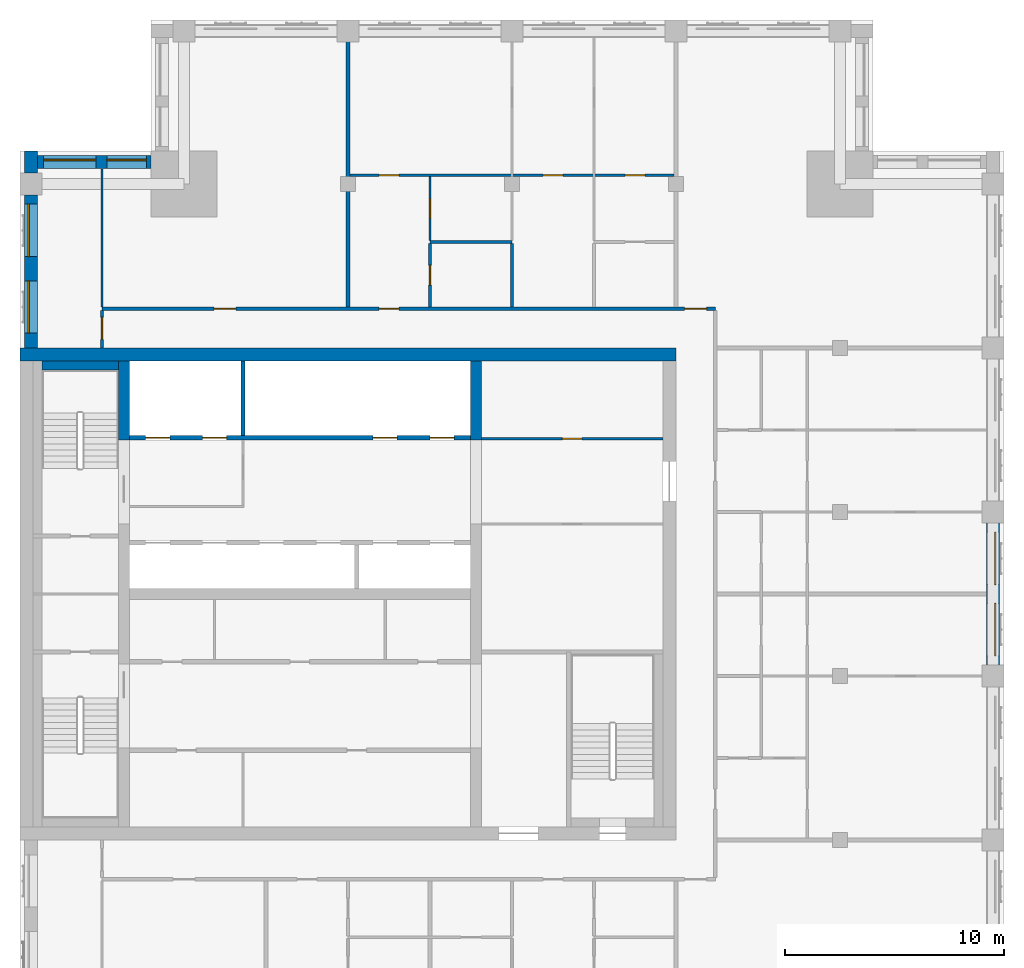
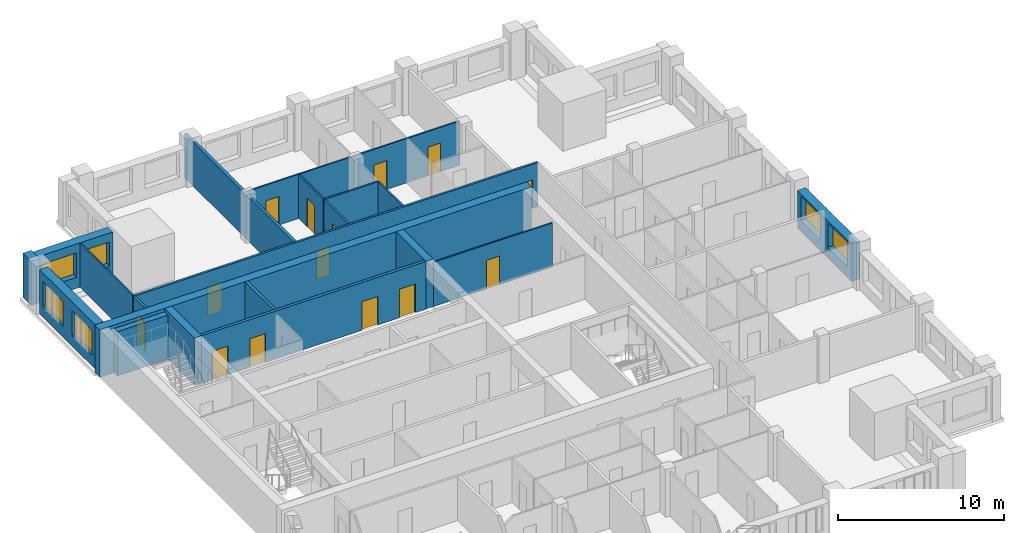
# One storey, part 6 of 10: 20 walls, 14 doors, 6 windows, 20 openings.
"""IFC4 building model written with IfcOpenShell, lengths in metres."""

from ifc_helpers import new_model, si_unit, direction, frame, frame_2d, origin, place, context, subcontext, project, spatial, rectangle, extrude, material, layer, layer_set, type_object, element, fill, save


model = new_model("IFC4")

# Units and contexts
model_context = context("Model", 3, precision=1e-05, world=origin(), true_north=direction((0.0, 1.0)))
body_context = subcontext(model_context, "Body", "Model", "MODEL_VIEW")
ifc_project = project(units=[si_unit("LENGTHUNIT", "METRE"), si_unit("AREAUNIT", "SQUARE_METRE"), si_unit("VOLUMEUNIT", "CUBIC_METRE"), si_unit("PLANEANGLEUNIT", "RADIAN"), si_unit("MASSUNIT", "GRAM", prefix="KILO")], contexts=[model_context])

# Site, building, storey
site_placement = place(None, origin())
site = spatial("IfcSite", under=ifc_project, at=site_placement, CompositionType="ELEMENT")
building_placement = place(site_placement, origin())
building = spatial("IfcBuilding", under=site, at=building_placement, Name="Tamorin Gate", CompositionType="ELEMENT")
storey_placement = place(building_placement, frame((0.0, 0.0, 280.199951171875)))
storey = spatial("IfcBuildingStorey", under=building, at=storey_placement, Name="L70", CompositionType="ELEMENT", Elevation=280.199951171875)

# Wall, openings, windows
ifc_material_1 = material(Name="Precast concrete C40/50", Category="concrete")
ifc_layer_1 = layer(ifc_material_1, 0.60009765625)
ifc_layer_set_1 = layer_set([ifc_layer_1], Name="Precast concrete C40/50")
wall_type_1 = type_object("IfcWallType", Name="Board-marked concrete facade panel 600", PredefinedType="SOLIDWALL", material=ifc_layer_set_1)
wall_1_placement = place(storey_placement, frame((74.5, 68.0, 0.0), z_axis=(0.0, 0.0, 1.0), x_axis=(0.0, 1.0, 0.0)))
wall_1 = element("IfcWall", 1, at=wall_1_placement, inside=storey, type_object=wall_type_1, Name="Facade panel", PredefinedType="SOLIDWALL", context=body_context, shape_type="SweptSolid", body=[
    extrude(rectangle(XDim=6.5, YDim=0.60009765625, at=frame_2d((3.25, 0.0))), origin(), (0.0, 0.0, 1.0), 2.75),
])
opening_1_placement = place(wall_1_placement, frame((0.425048828125, 0.0, 0.800048828125)))
opening_1 = element("IfcOpeningElement", 2, at=opening_1_placement, cuts=wall_1, Name="Opening WN1", PredefinedType="OPENING", context=body_context, shape_type="SweptSolid", body=[
    extrude(rectangle(XDim=2.39990234375, YDim=1.800048828125, at=frame_2d((1.199951171875, 0.89990234375))), frame((0.0, 0.31005859375, 0.0), z_axis=(0.0, -1.0, 0.0), x_axis=(1.0, 0.0, 0.0)), (0.0, 0.0, 1.0), 0.6201171875),
])
opening_2_placement = place(wall_1_placement, frame((3.675048828125, 0.0, 0.800048828125)))
opening_2 = element("IfcOpeningElement", 3, at=opening_2_placement, cuts=wall_1, Name="Opening WN1", PredefinedType="OPENING", context=body_context, shape_type="SweptSolid", body=[
    extrude(rectangle(XDim=2.39990234375, YDim=1.800048828125, at=frame_2d((1.199951171875, 0.89990234375))), frame((0.0, 0.31005859375, 0.0), z_axis=(0.0, -1.0, 0.0), x_axis=(1.0, 0.0, 0.0)), (0.0, 0.0, 1.0), 0.6201171875),
])
ifc_material_2 = material(Name="Clear glass in aluminium frame", Category="aluminium")
window_type_1 = type_object("IfcWindowType", Name="Deep-set window 2400x1800", PartitioningType="SINGLE_PANEL", PredefinedType="WINDOW", material=ifc_material_2)
window_1_placement = place(opening_1_placement, origin())
window_1 = element("IfcWindow", 4, at=window_1_placement, inside=storey, type_object=window_type_1, Name="Deep-set window", OverallHeight=1.800048828125, OverallWidth=2.39990234375, PartitioningType="SINGLE_PANEL", PredefinedType="WINDOW", context=body_context, shape_type="SweptSolid", body=[
    extrude(rectangle(XDim=2.39990234375, YDim=1.800048828125, at=frame_2d((1.199951171875, 0.89990234375))), frame((0.0, -0.070068359375, 0.0), z_axis=(0.0, -1.0, 0.0), x_axis=(1.0, 0.0, 0.0)), (0.0, 0.0, 1.0), 0.06005859375),
])
fill(opening_1, window_1)
window_2_placement = place(opening_2_placement, origin())
window_2 = element("IfcWindow", 5, at=window_2_placement, inside=storey, type_object=window_type_1, Name="Deep-set window", OverallHeight=1.800048828125, OverallWidth=2.39990234375, PartitioningType="SINGLE_PANEL", PredefinedType="WINDOW", context=body_context, shape_type="SweptSolid", body=[
    extrude(rectangle(XDim=2.39990234375, YDim=1.800048828125, at=frame_2d((1.199951171875, 0.89990234375))), frame((0.0, -0.070068359375, 0.0), z_axis=(0.0, -1.0, 0.0), x_axis=(1.0, 0.0, 0.0)), (0.0, 0.0, 1.0), 0.06005859375),
])
fill(opening_2, window_2)

wall_2_placement = place(storey_placement, frame((36.0, 91.0, 0.0), z_axis=(0.0, 0.0, 1.0), x_axis=(-1.0, 0.0, 0.0)))
wall_2 = element("IfcWall", 6, at=wall_2_placement, inside=storey, type_object=wall_type_1, Name="Facade panel", PredefinedType="SOLIDWALL", context=body_context, shape_type="SweptSolid", body=[
    extrude(rectangle(XDim=5.199951171875, YDim=0.60009765625, at=frame_2d((2.60009765625, 0.0))), origin(), (0.0, 0.0, 1.0), 3.25),
])
opening_3_placement = place(wall_2_placement, frame((2.52490234375, 0.0, 0.800048828125)))
opening_3 = element("IfcOpeningElement", 7, at=opening_3_placement, cuts=wall_2, Name="Opening WN1", PredefinedType="OPENING", context=body_context, shape_type="SweptSolid", body=[
    extrude(rectangle(XDim=2.39990234375, YDim=1.800048828125, at=frame_2d((1.199951171875, 0.89990234375))), frame((0.0, 0.31005859375, 0.0), z_axis=(0.0, -1.0, 0.0), x_axis=(1.0, 0.0, 0.0)), (0.0, 0.0, 1.0), 0.6201171875),
])
opening_4_placement = place(wall_2_placement, frame((0.22509765625, 0.0, 0.800048828125)))
opening_4 = element("IfcOpeningElement", 8, at=opening_4_placement, cuts=wall_2, Name="Opening WN2", PredefinedType="OPENING", context=body_context, shape_type="SweptSolid", body=[
    extrude(rectangle(XDim=1.800048828125, YDim=1.800048828125, at=frame_2d((0.89990234375, 0.89990234375))), frame((0.0, 0.31005859375, 0.0), z_axis=(0.0, -1.0, 0.0), x_axis=(1.0, 0.0, 0.0)), (0.0, 0.0, 1.0), 0.6201171875),
])
window_type_2 = type_object("IfcWindowType", Name="Deep-set window 1800x1800", PartitioningType="SINGLE_PANEL", PredefinedType="WINDOW", material=ifc_material_2)
window_3_placement = place(opening_4_placement, origin())
window_3 = element("IfcWindow", 9, at=window_3_placement, inside=storey, type_object=window_type_2, Name="Deep-set window", OverallHeight=1.800048828125, OverallWidth=1.800048828125, PartitioningType="SINGLE_PANEL", PredefinedType="WINDOW", context=body_context, shape_type="SweptSolid", body=[
    extrude(rectangle(XDim=1.800048828125, YDim=1.800048828125, at=frame_2d((0.89990234375, 0.89990234375))), frame((0.0, -0.070068359375, 0.0), z_axis=(0.0, -1.0, 0.0), x_axis=(1.0, 0.0, 0.0)), (0.0, 0.0, 1.0), 0.06005859375),
])
fill(opening_4, window_3)
window_4_placement = place(opening_3_placement, origin())
window_4 = element("IfcWindow", 10, at=window_4_placement, inside=storey, type_object=window_type_1, Name="Deep-set window", OverallHeight=1.800048828125, OverallWidth=2.39990234375, PartitioningType="SINGLE_PANEL", PredefinedType="WINDOW", context=body_context, shape_type="SweptSolid", body=[
    extrude(rectangle(XDim=2.39990234375, YDim=1.800048828125, at=frame_2d((1.199951171875, 0.89990234375))), frame((0.0, -0.070068359375, 0.0), z_axis=(0.0, -1.0, 0.0), x_axis=(1.0, 0.0, 0.0)), (0.0, 0.0, 1.0), 0.06005859375),
])
fill(opening_3, window_4)

# Wall
wall_3_placement = place(storey_placement, frame((30.5, 91.5, 0.0), z_axis=(0.0, 0.0, 1.0), x_axis=(0.0, -1.0, 0.0)))
element("IfcWall", 11, at=wall_3_placement, inside=storey, type_object=wall_type_1, Name="Facade panel", PredefinedType="SOLIDWALL", context=body_context, shape_type="SweptSolid", body=[
    extrude(rectangle(XDim=1.0, YDim=0.60009765625, at=frame_2d((0.5, 0.0))), origin(), (0.0, 0.0, 1.0), 3.25),
])

# Wall, openings, windows
wall_4_placement = place(storey_placement, frame((30.5, 89.5, 0.0), z_axis=(0.0, 0.0, 1.0), x_axis=(0.0, -1.0, 0.0)))
wall_4 = element("IfcWall", 12, at=wall_4_placement, inside=storey, type_object=wall_type_1, Name="Facade panel", PredefinedType="SOLIDWALL", context=body_context, shape_type="SweptSolid", body=[
    extrude(rectangle(XDim=7.0, YDim=0.60009765625, at=frame_2d((3.5, 0.0))), origin(), (0.0, 0.0, 1.0), 3.25),
])
opening_5_placement = place(wall_4_placement, frame((3.925048828125, 0.0, 0.800048828125)))
opening_5 = element("IfcOpeningElement", 13, at=opening_5_placement, cuts=wall_4, Name="Opening WN1", PredefinedType="OPENING", context=body_context, shape_type="SweptSolid", body=[
    extrude(rectangle(XDim=2.39990234375, YDim=1.800048828125, at=frame_2d((1.199951171875, 0.89990234375))), frame((0.0, 0.31005859375, 0.0), z_axis=(0.0, -1.0, 0.0), x_axis=(1.0, 0.0, 0.0)), (0.0, 0.0, 1.0), 0.6201171875),
])
opening_6_placement = place(wall_4_placement, frame((0.425048828125, 0.0, 0.800048828125)))
opening_6 = element("IfcOpeningElement", 14, at=opening_6_placement, cuts=wall_4, Name="Opening WN1", PredefinedType="OPENING", context=body_context, shape_type="SweptSolid", body=[
    extrude(rectangle(XDim=2.39990234375, YDim=1.800048828125, at=frame_2d((1.199951171875, 0.89990234375))), frame((0.0, 0.31005859375, 0.0), z_axis=(0.0, -1.0, 0.0), x_axis=(1.0, 0.0, 0.0)), (0.0, 0.0, 1.0), 0.6201171875),
])
window_5_placement = place(opening_5_placement, origin())
window_5 = element("IfcWindow", 15, at=window_5_placement, inside=storey, type_object=window_type_1, Name="Deep-set window", OverallHeight=1.800048828125, OverallWidth=2.39990234375, PartitioningType="SINGLE_PANEL", PredefinedType="WINDOW", context=body_context, shape_type="SweptSolid", body=[
    extrude(rectangle(XDim=2.39990234375, YDim=1.800048828125, at=frame_2d((1.199951171875, 0.89990234375))), frame((0.0, -0.070068359375, 0.0), z_axis=(0.0, -1.0, 0.0), x_axis=(1.0, 0.0, 0.0)), (0.0, 0.0, 1.0), 0.06005859375),
])
fill(opening_5, window_5)
window_6_placement = place(opening_6_placement, origin())
window_6 = element("IfcWindow", 16, at=window_6_placement, inside=storey, type_object=window_type_1, Name="Deep-set window", OverallHeight=1.800048828125, OverallWidth=2.39990234375, PartitioningType="SINGLE_PANEL", PredefinedType="WINDOW", context=body_context, shape_type="SweptSolid", body=[
    extrude(rectangle(XDim=2.39990234375, YDim=1.800048828125, at=frame_2d((1.199951171875, 0.89990234375))), frame((0.0, -0.070068359375, 0.0), z_axis=(0.0, -1.0, 0.0), x_axis=(1.0, 0.0, 0.0)), (0.0, 0.0, 1.0), 0.06005859375),
])
fill(opening_6, window_6)

# Wall, openings, doors
ifc_material_3 = material(Name="Gypsum board partition")
ifc_layer_2 = layer(ifc_material_3, 0.14990234375)
ifc_layer_set_2 = layer_set([ifc_layer_2], Name="Corridor wall 150")
wall_type_2 = type_object("IfcWallType", Name="Corridor wall 150", PredefinedType="PARTITIONING", material=ifc_layer_set_2)
wall_5_placement = place(storey_placement, frame((33.75, 84.300048828125, 0.0), z_axis=(0.0, 0.0, 1.0), x_axis=(1.0, 0.0, 0.0)))
wall_5 = element("IfcWall", 17, at=wall_5_placement, inside=storey, type_object=wall_type_2, Name="Corridor wall 150", PredefinedType="PARTITIONING", context=body_context, shape_type="SweptSolid", body=[
    extrude(rectangle(XDim=28.050048828125, YDim=0.14990234375, at=frame_2d((14.02490234375, 0.0))), origin(), (0.0, 0.0, 1.0), 3.25),
])
opening_7_placement = place(wall_5_placement, frame((5.125, 0.0, 0.0)))
opening_7 = element("IfcOpeningElement", 18, at=opening_7_placement, cuts=wall_5, Name="Opening DR9018", PredefinedType="OPENING", context=body_context, shape_type="SweptSolid", body=[
    extrude(rectangle(XDim=1.0, YDim=2.10009765625, at=frame_2d((0.5, 1.050048828125))), frame((0.0, 0.0849609375, 0.0), z_axis=(0.0, -1.0, 0.0), x_axis=(1.0, 0.0, 0.0)), (0.0, 0.0, 1.0), 0.169921875),
])
opening_8_placement = place(wall_5_placement, frame((12.675048828125, 0.0, 0.0)))
opening_8 = element("IfcOpeningElement", 19, at=opening_8_placement, cuts=wall_5, Name="Opening DR9019", PredefinedType="OPENING", context=body_context, shape_type="SweptSolid", body=[
    extrude(rectangle(XDim=0.89990234375, YDim=2.10009765625, at=frame_2d((0.449951171875, 1.050048828125))), frame((0.0, 0.0849609375, 0.0), z_axis=(0.0, -1.0, 0.0), x_axis=(1.0, 0.0, 0.0)), (0.0, 0.0, 1.0), 0.169921875),
])
opening_9_placement = place(wall_5_placement, frame((26.64990234375, 0.0, 0.0)))
opening_9 = element("IfcOpeningElement", 20, at=opening_9_placement, cuts=wall_5, Name="Opening DR9028", PredefinedType="OPENING", context=body_context, shape_type="SweptSolid", body=[
    extrude(rectangle(XDim=1.0, YDim=2.10009765625, at=frame_2d((0.5, 1.050048828125))), frame((0.0, 0.0849609375, 0.0), z_axis=(0.0, -1.0, 0.0), x_axis=(1.0, 0.0, 0.0)), (0.0, 0.0, 1.0), 0.169921875),
])
ifc_material_4 = material(Name="Timber door leaf", Category="wood")
door_type_1 = type_object("IfcDoorType", Name="Door 1000 x 2100 FD30S", OperationType="NOTDEFINED", PredefinedType="DOOR", material=ifc_material_4)
door_1_placement = place(opening_7_placement, origin())
door_1 = element("IfcDoor", 21, at=door_1_placement, inside=storey, type_object=door_type_1, Name="Door DR9018", OperationType="SINGLE_SWING_LEFT", OverallHeight=2.10009765625, OverallWidth=1.0, PredefinedType="DOOR", context=body_context, shape_type="SweptSolid", body=[
    extrude(rectangle(XDim=1.0, YDim=2.10009765625, at=frame_2d((0.5, 1.050048828125))), frame((0.0, 0.02490234375, 0.0), z_axis=(0.0, -1.0, 0.0), x_axis=(1.0, 0.0, 0.0)), (0.0, 0.0, 1.0), 0.050048828125),
])
fill(opening_7, door_1)
door_2_placement = place(opening_9_placement, origin())
door_2 = element("IfcDoor", 22, at=door_2_placement, inside=storey, type_object=door_type_1, Name="Door DR9028", OperationType="SINGLE_SWING_LEFT", OverallHeight=2.10009765625, OverallWidth=1.0, PredefinedType="DOOR", context=body_context, shape_type="SweptSolid", body=[
    extrude(rectangle(XDim=1.0, YDim=2.10009765625, at=frame_2d((0.5, 1.050048828125))), frame((0.0, 0.02490234375, 0.0), z_axis=(0.0, -1.0, 0.0), x_axis=(1.0, 0.0, 0.0)), (0.0, 0.0, 1.0), 0.050048828125),
])
fill(opening_9, door_2)
door_type_2 = type_object("IfcDoorType", Name="Door 900 x 2100 FD30S", OperationType="NOTDEFINED", PredefinedType="DOOR", material=ifc_material_4)
door_3_placement = place(opening_8_placement, origin())
door_3 = element("IfcDoor", 23, at=door_3_placement, inside=storey, type_object=door_type_2, Name="Door DR9019", OperationType="SINGLE_SWING_LEFT", OverallHeight=2.10009765625, OverallWidth=0.89990234375, PredefinedType="DOOR", context=body_context, shape_type="SweptSolid", body=[
    extrude(rectangle(XDim=0.89990234375, YDim=2.10009765625, at=frame_2d((0.449951171875, 1.050048828125))), frame((0.0, 0.02490234375, 0.0), z_axis=(0.0, -1.0, 0.0), x_axis=(1.0, 0.0, 0.0)), (0.0, 0.0, 1.0), 0.050048828125),
])
fill(opening_8, door_3)

# Wall, opening, door
wall_6_placement = place(storey_placement, frame((33.75, 82.5, 0.0), z_axis=(0.0, 0.0, 1.0), x_axis=(0.0, 1.0, 0.0)))
wall_6 = element("IfcWall", 24, at=wall_6_placement, inside=storey, type_object=wall_type_2, Name="Corridor wall 150", PredefinedType="PARTITIONING", context=body_context, shape_type="SweptSolid", body=[
    extrude(rectangle(XDim=1.72509765625, YDim=0.14990234375, at=frame_2d((0.862548828125, 0.0))), origin(), (0.0, 0.0, 1.0), 3.25),
])
opening_10_placement = place(wall_6_placement, frame((0.39990234375, 0.0, 0.0)))
opening_10 = element("IfcOpeningElement", 25, at=opening_10_placement, cuts=wall_6, Name="Opening DR9017", PredefinedType="OPENING", context=body_context, shape_type="SweptSolid", body=[
    extrude(rectangle(XDim=1.0, YDim=2.10009765625, at=frame_2d((0.5, 1.050048828125))), frame((0.0, 0.0849609375, 0.0), z_axis=(0.0, -1.0, 0.0), x_axis=(1.0, 0.0, 0.0)), (0.0, 0.0, 1.0), 0.169921875),
])
door_4_placement = place(opening_10_placement, origin())
door_4 = element("IfcDoor", 26, at=door_4_placement, inside=storey, type_object=door_type_1, Name="Door DR9017", OperationType="SINGLE_SWING_LEFT", OverallHeight=2.10009765625, OverallWidth=1.0, PredefinedType="DOOR", context=body_context, shape_type="SweptSolid", body=[
    extrude(rectangle(XDim=1.0, YDim=2.10009765625, at=frame_2d((0.5, 1.050048828125))), frame((0.0, 0.02490234375, 0.0), z_axis=(0.0, -1.0, 0.0), x_axis=(1.0, 0.0, 0.0)), (0.0, 0.0, 1.0), 0.050048828125),
])
fill(opening_10, door_4)

# Wall
ifc_layer_3 = layer(ifc_material_3, 0.199951171875)
ifc_layer_set_3 = layer_set([ifc_layer_3], Name="Demising wall 200")
wall_type_3 = type_object("IfcWallType", Name="Demising wall 200", PredefinedType="PARTITIONING", material=ifc_layer_set_3)
wall_7_placement = place(storey_placement, frame((45.0, 84.375, 0.0), z_axis=(0.0, 0.0, 1.0), x_axis=(0.0, 1.0, 0.0)))
element("IfcWall", 27, at=wall_7_placement, inside=storey, type_object=wall_type_3, Name="Demising wall 200", PredefinedType="PARTITIONING", context=body_context, shape_type="SweptSolid", body=[
    extrude(rectangle(XDim=13.125, YDim=0.199951171875, at=frame_2d((6.5625, 0.0))), origin(), (0.0, 0.0, 1.0), 3.25),
])

# Wall, openings, doors
ifc_material_5 = material(Name="Concrete C32/40", Category="concrete")
ifc_layer_4 = layer(ifc_material_5, 0.199951171875)
ifc_layer_set_4 = layer_set([ifc_layer_4], Name="Lift lobby face wall 200 EI 120")
wall_type_4 = type_object("IfcWallType", Name="Lift lobby face wall 200 EI 120", PredefinedType="SOLIDWALL", material=ifc_layer_set_4)
wall_8_placement = place(storey_placement, frame((35.0, 78.39990234375, 0.0), z_axis=(0.0, 0.0, 1.0), x_axis=(1.0, 0.0, 0.0)))
wall_8 = element("IfcWall", 28, at=wall_8_placement, inside=storey, type_object=wall_type_4, Name="Lift lobby face wall", PredefinedType="SOLIDWALL", context=body_context, shape_type="SweptSolid", body=[
    extrude(rectangle(XDim=15.60009765625, YDim=0.199951171875, at=frame_2d((7.800048828125, 0.0))), origin(), (0.0, 0.0, 1.0), 3.5),
])
opening_11_placement = place(wall_8_placement, frame((0.75, 0.0, 0.0)))
opening_11 = element("IfcOpeningElement", 29, at=opening_11_placement, cuts=wall_8, Name="Opening LD17", PredefinedType="OPENING", context=body_context, shape_type="SweptSolid", body=[
    extrude(rectangle(XDim=1.10009765625, YDim=2.10009765625, at=frame_2d((0.550048828125, 1.050048828125))), frame((0.0, 0.10986328125, 0.0), z_axis=(0.0, -1.0, 0.0), x_axis=(1.0, 0.0, 0.0)), (0.0, 0.0, 1.0), 0.219970703125),
])
opening_12_placement = place(wall_8_placement, frame((3.35009765625, 0.0, 0.0)))
opening_12 = element("IfcOpeningElement", 30, at=opening_12_placement, cuts=wall_8, Name="Opening LD18", PredefinedType="OPENING", context=body_context, shape_type="SweptSolid", body=[
    extrude(rectangle(XDim=1.10009765625, YDim=2.10009765625, at=frame_2d((0.550048828125, 1.050048828125))), frame((0.0, 0.10986328125, 0.0), z_axis=(0.0, -1.0, 0.0), x_axis=(1.0, 0.0, 0.0)), (0.0, 0.0, 1.0), 0.219970703125),
])
opening_13_placement = place(wall_8_placement, frame((11.14990234375, 0.0, 0.0)))
opening_13 = element("IfcOpeningElement", 31, at=opening_13_placement, cuts=wall_8, Name="Opening LD21", PredefinedType="OPENING", context=body_context, shape_type="SweptSolid", body=[
    extrude(rectangle(XDim=1.10009765625, YDim=2.10009765625, at=frame_2d((0.550048828125, 1.050048828125))), frame((0.0, 0.10986328125, 0.0), z_axis=(0.0, -1.0, 0.0), x_axis=(1.0, 0.0, 0.0)), (0.0, 0.0, 1.0), 0.219970703125),
])
opening_14_placement = place(wall_8_placement, frame((13.75, 0.0, 0.0)))
opening_14 = element("IfcOpeningElement", 32, at=opening_14_placement, cuts=wall_8, Name="Opening LD22", PredefinedType="OPENING", context=body_context, shape_type="SweptSolid", body=[
    extrude(rectangle(XDim=1.10009765625, YDim=2.10009765625, at=frame_2d((0.550048828125, 1.050048828125))), frame((0.0, 0.10986328125, 0.0), z_axis=(0.0, -1.0, 0.0), x_axis=(1.0, 0.0, 0.0)), (0.0, 0.0, 1.0), 0.219970703125),
])
ifc_material_6 = material(Name="Stainless steel sliding door", Category="steel")
door_type_3 = type_object("IfcDoorType", Name="Lift landing door 1100 x 2100 E 90", OperationType="DOUBLE_DOOR_SLIDING", PredefinedType="DOOR", material=ifc_material_6)
door_5_placement = place(opening_11_placement, origin())
door_5 = element("IfcDoor", 33, at=door_5_placement, inside=storey, type_object=door_type_3, Name="FF1 landing door", OperationType="DOUBLE_DOOR_SLIDING", OverallHeight=2.10009765625, OverallWidth=1.10009765625, PredefinedType="DOOR", context=body_context, shape_type="SweptSolid", body=[
    extrude(rectangle(XDim=1.10009765625, YDim=2.10009765625, at=frame_2d((0.550048828125, 1.050048828125))), frame((0.0, 0.02490234375, 0.0), z_axis=(0.0, -1.0, 0.0), x_axis=(1.0, 0.0, 0.0)), (0.0, 0.0, 1.0), 0.050048828125),
])
fill(opening_11, door_5)
door_6_placement = place(opening_12_placement, origin())
door_6 = element("IfcDoor", 34, at=door_6_placement, inside=storey, type_object=door_type_3, Name="FF2 landing door", OperationType="DOUBLE_DOOR_SLIDING", OverallHeight=2.10009765625, OverallWidth=1.10009765625, PredefinedType="DOOR", context=body_context, shape_type="SweptSolid", body=[
    extrude(rectangle(XDim=1.10009765625, YDim=2.10009765625, at=frame_2d((0.550048828125, 1.050048828125))), frame((0.0, 0.02490234375, 0.0), z_axis=(0.0, -1.0, 0.0), x_axis=(1.0, 0.0, 0.0)), (0.0, 0.0, 1.0), 0.050048828125),
])
fill(opening_12, door_6)
door_7_placement = place(opening_13_placement, origin())
door_7 = element("IfcDoor", 35, at=door_7_placement, inside=storey, type_object=door_type_3, Name="SV1 landing door", OperationType="DOUBLE_DOOR_SLIDING", OverallHeight=2.10009765625, OverallWidth=1.10009765625, PredefinedType="DOOR", context=body_context, shape_type="SweptSolid", body=[
    extrude(rectangle(XDim=1.10009765625, YDim=2.10009765625, at=frame_2d((0.550048828125, 1.050048828125))), frame((0.0, 0.02490234375, 0.0), z_axis=(0.0, -1.0, 0.0), x_axis=(1.0, 0.0, 0.0)), (0.0, 0.0, 1.0), 0.050048828125),
])
fill(opening_13, door_7)
door_8_placement = place(opening_14_placement, origin())
door_8 = element("IfcDoor", 36, at=door_8_placement, inside=storey, type_object=door_type_3, Name="SV2 landing door", OperationType="DOUBLE_DOOR_SLIDING", OverallHeight=2.10009765625, OverallWidth=1.10009765625, PredefinedType="DOOR", context=body_context, shape_type="SweptSolid", body=[
    extrude(rectangle(XDim=1.10009765625, YDim=2.10009765625, at=frame_2d((0.550048828125, 1.050048828125))), frame((0.0, 0.02490234375, 0.0), z_axis=(0.0, -1.0, 0.0), x_axis=(1.0, 0.0, 0.0)), (0.0, 0.0, 1.0), 0.050048828125),
])
fill(opening_14, door_8)

# Walls
ifc_layer_5 = layer(ifc_material_5, 0.199951171875)
ifc_layer_set_5 = layer_set([ifc_layer_5], Name="Lift shaft wall 200 EI 120")
wall_type_5 = type_object("IfcWallType", Name="Lift shaft wall 200 EI 120", PredefinedType="SOLIDWALL", material=ifc_layer_set_5)
wall_9_placement = place(storey_placement, frame((40.199951171875, 78.5, 0.0), z_axis=(0.0, 0.0, 1.0), x_axis=(0.0, 1.0, 0.0)))
element("IfcWall", 37, at=wall_9_placement, inside=storey, type_object=wall_type_5, Name="Lift shaft wall", PredefinedType="SOLIDWALL", context=body_context, shape_type="SweptSolid", body=[
    extrude(rectangle(XDim=3.39990234375, YDim=0.199951171875, at=frame_2d((1.699951171875, 0.0))), origin(), (0.0, 0.0, 1.0), 3.5),
])
ifc_material_7 = material(Name="Concrete C50/60", Category="concrete")
ifc_layer_6 = layer(ifc_material_7, 0.5)
ifc_layer_set_6 = layer_set([ifc_layer_6], Name="RC core internal wall 500 C50/60")
wall_type_6 = type_object("IfcWallType", Name="RC core internal wall 500 C50/60", PredefinedType="SHEAR", material=ifc_layer_set_6)
for number, where, z_axis, x_axis, name in (
    (38, (34.75, 78.300048828125, 0.0), (0.0, 0.0, 1.0), (0.0, 1.0, 0.0), "Core cross wall L70"),
    (39, (50.85009765625, 78.300048828125, 0.0), (0.0, 0.0, 1.0), (0.0, 1.0, 0.0), "Core cross wall L70"),
):
    element("IfcWall", number, at=place(storey_placement, frame(where, z_axis=z_axis, x_axis=x_axis)), inside=storey, type_object=wall_type_6, Name=name, PredefinedType="SHEAR", context=body_context, shape_type="SweptSolid", body=[
        extrude(rectangle(XDim=3.599853515625, YDim=0.5, at=frame_2d((1.7998046875, 0.0))), origin(), (0.0, 0.0, 1.0), 3.5),
    ])
ifc_layer_7 = layer(ifc_material_7, 0.60009765625)
ifc_layer_set_7 = layer_set([ifc_layer_7], Name="RC core wall 600 C50/60")
wall_type_7 = type_object("IfcWallType", Name="RC core wall 600 C50/60", PredefinedType="SHEAR", material=ifc_layer_set_7)
wall_10_placement = place(storey_placement, frame((30.0, 82.199951171875, 0.0), z_axis=(0.0, 0.0, 1.0), x_axis=(1.0, 0.0, 0.0)))
element("IfcWall", 40, at=wall_10_placement, inside=storey, type_object=wall_type_7, Name="Core wall L70", PredefinedType="SHEAR", context=body_context, shape_type="SweptSolid", body=[
    extrude(rectangle(XDim=30.0, YDim=0.60009765625, at=frame_2d((15.0, 0.0))), origin(), (0.0, 0.0, 1.0), 3.5),
])

# Wall, openings, doors
ifc_layer_8 = layer(ifc_material_3, 0.10009765625)
ifc_layer_set_8 = layer_set([ifc_layer_8], Name="Room partition 100")
wall_type_8 = type_object("IfcWallType", Name="Room partition 100", PredefinedType="PARTITIONING", material=ifc_layer_set_8)
wall_11_placement = place(storey_placement, frame((45.10009765625, 90.39990234375, 0.0), z_axis=(0.0, 0.0, 1.0), x_axis=(1.0, 0.0, 0.0)))
wall_11 = element("IfcWall", 41, at=wall_11_placement, inside=storey, type_object=wall_type_8, Name="Room partition 100", PredefinedType="PARTITIONING", context=body_context, shape_type="SweptSolid", body=[
    extrude(rectangle(XDim=14.7998046875, YDim=0.10009765625, at=frame_2d((7.39990234375, 0.0))), origin(), (0.0, 0.0, 1.0), 3.25),
])
opening_15_placement = place(wall_11_placement, frame((1.324951171875, 0.0, 0.0)))
opening_15 = element("IfcOpeningElement", 42, at=opening_15_placement, cuts=wall_11, Name="Opening DR9020", PredefinedType="OPENING", context=body_context, shape_type="SweptSolid", body=[
    extrude(rectangle(XDim=0.89990234375, YDim=2.10009765625, at=frame_2d((0.449951171875, 1.050048828125))), frame((0.0, 0.06005859375, 0.0), z_axis=(0.0, -1.0, 0.0), x_axis=(1.0, 0.0, 0.0)), (0.0, 0.0, 1.0), 0.1201171875),
])
opening_16_placement = place(wall_11_placement, frame((8.824951171875, 0.0, 0.0)))
opening_16 = element("IfcOpeningElement", 43, at=opening_16_placement, cuts=wall_11, Name="Opening DR9023", PredefinedType="OPENING", context=body_context, shape_type="SweptSolid", body=[
    extrude(rectangle(XDim=0.89990234375, YDim=2.10009765625, at=frame_2d((0.449951171875, 1.050048828125))), frame((0.0, 0.06005859375, 0.0), z_axis=(0.0, -1.0, 0.0), x_axis=(1.0, 0.0, 0.0)), (0.0, 0.0, 1.0), 0.1201171875),
])
opening_17_placement = place(wall_11_placement, frame((12.574951171875, 0.0, 0.0)))
opening_17 = element("IfcOpeningElement", 44, at=opening_17_placement, cuts=wall_11, Name="Opening DR9024", PredefinedType="OPENING", context=body_context, shape_type="SweptSolid", body=[
    extrude(rectangle(XDim=0.89990234375, YDim=2.10009765625, at=frame_2d((0.449951171875, 1.050048828125))), frame((0.0, 0.06005859375, 0.0), z_axis=(0.0, -1.0, 0.0), x_axis=(1.0, 0.0, 0.0)), (0.0, 0.0, 1.0), 0.1201171875),
])
door_type_4 = type_object("IfcDoorType", Name="Door 900 x 2100", OperationType="NOTDEFINED", PredefinedType="DOOR", material=ifc_material_4)
door_9_placement = place(opening_15_placement, origin())
door_9 = element("IfcDoor", 45, at=door_9_placement, inside=storey, type_object=door_type_4, Name="Door DR9020", OperationType="SINGLE_SWING_RIGHT", OverallHeight=2.10009765625, OverallWidth=0.89990234375, PredefinedType="DOOR", context=body_context, shape_type="SweptSolid", body=[
    extrude(rectangle(XDim=0.89990234375, YDim=2.10009765625, at=frame_2d((0.449951171875, 1.050048828125))), frame((0.0, 0.02490234375, 0.0), z_axis=(0.0, -1.0, 0.0), x_axis=(1.0, 0.0, 0.0)), (0.0, 0.0, 1.0), 0.050048828125),
])
fill(opening_15, door_9)
door_10_placement = place(opening_16_placement, origin())
door_10 = element("IfcDoor", 46, at=door_10_placement, inside=storey, type_object=door_type_4, Name="Door DR9023", OperationType="SINGLE_SWING_RIGHT", OverallHeight=2.10009765625, OverallWidth=0.89990234375, PredefinedType="DOOR", context=body_context, shape_type="SweptSolid", body=[
    extrude(rectangle(XDim=0.89990234375, YDim=2.10009765625, at=frame_2d((0.449951171875, 1.050048828125))), frame((0.0, 0.02490234375, 0.0), z_axis=(0.0, -1.0, 0.0), x_axis=(1.0, 0.0, 0.0)), (0.0, 0.0, 1.0), 0.050048828125),
])
fill(opening_16, door_10)
door_11_placement = place(opening_17_placement, origin())
door_11 = element("IfcDoor", 47, at=door_11_placement, inside=storey, type_object=door_type_4, Name="Door DR9024", OperationType="SINGLE_SWING_RIGHT", OverallHeight=2.10009765625, OverallWidth=0.89990234375, PredefinedType="DOOR", context=body_context, shape_type="SweptSolid", body=[
    extrude(rectangle(XDim=0.89990234375, YDim=2.10009765625, at=frame_2d((0.449951171875, 1.050048828125))), frame((0.0, 0.02490234375, 0.0), z_axis=(0.0, -1.0, 0.0), x_axis=(1.0, 0.0, 0.0)), (0.0, 0.0, 1.0), 0.050048828125),
])
fill(opening_17, door_11)

# Wall
wall_12_placement = place(storey_placement, frame((33.75, 84.375, 0.0), z_axis=(0.0, 0.0, 1.0), x_axis=(0.0, 1.0, 0.0)))
element("IfcWall", 48, at=wall_12_placement, inside=storey, type_object=wall_type_8, Name="Room partition 100", PredefinedType="PARTITIONING", context=body_context, shape_type="SweptSolid", body=[
    extrude(rectangle(XDim=6.31494140625, YDim=0.10009765625, at=frame_2d((3.157470703125, 0.0))), origin(), (0.0, 0.0, 1.0), 3.25),
])

# Wall, opening, door
wall_13_placement = place(storey_placement, frame((48.75, 87.41259765625, 0.0), z_axis=(0.0, 0.0, 1.0), x_axis=(0.0, 1.0, 0.0)))
wall_13 = element("IfcWall", 49, at=wall_13_placement, inside=storey, type_object=wall_type_8, Name="Room partition 100", PredefinedType="PARTITIONING", context=body_context, shape_type="SweptSolid", body=[
    extrude(rectangle(XDim=2.9375, YDim=0.10009765625, at=frame_2d((1.46875, 0.0))), origin(), (0.0, 0.0, 1.0), 3.25),
])
opening_18_placement = place(wall_13_placement, frame((1.012451171875, 0.0, 0.0)))
opening_18 = element("IfcOpeningElement", 50, at=opening_18_placement, cuts=wall_13, Name="Opening DR9021", PredefinedType="OPENING", context=body_context, shape_type="SweptSolid", body=[
    extrude(rectangle(XDim=0.89990234375, YDim=2.10009765625, at=frame_2d((0.449951171875, 1.050048828125))), frame((0.0, 0.06005859375, 0.0), z_axis=(0.0, -1.0, 0.0), x_axis=(1.0, 0.0, 0.0)), (0.0, 0.0, 1.0), 0.1201171875),
])
door_12_placement = place(opening_18_placement, origin())
door_12 = element("IfcDoor", 51, at=door_12_placement, inside=storey, type_object=door_type_4, Name="Door DR9021", OperationType="SINGLE_SWING_RIGHT", OverallHeight=2.10009765625, OverallWidth=0.89990234375, PredefinedType="DOOR", context=body_context, shape_type="SweptSolid", body=[
    extrude(rectangle(XDim=0.89990234375, YDim=2.10009765625, at=frame_2d((0.449951171875, 1.050048828125))), frame((0.0, 0.02490234375, 0.0), z_axis=(0.0, -1.0, 0.0), x_axis=(1.0, 0.0, 0.0)), (0.0, 0.0, 1.0), 0.050048828125),
])
fill(opening_18, door_12)

ifc_layer_9 = layer(ifc_material_3, 0.10009765625)
ifc_layer_set_9 = layer_set([ifc_layer_9], Name="Service room partition 100 EI 60")
wall_type_9 = type_object("IfcWallType", Name="Service room partition 100 EI 60", PredefinedType="PARTITIONING", material=ifc_layer_set_9)
wall_14_placement = place(storey_placement, frame((51.10009765625, 78.35009765625, 0.0), z_axis=(0.0, 0.0, 1.0), x_axis=(1.0, 0.0, 0.0)))
wall_14 = element("IfcWall", 52, at=wall_14_placement, inside=storey, type_object=wall_type_9, Name="Service room wall", PredefinedType="PARTITIONING", context=body_context, shape_type="SweptSolid", body=[
    extrude(rectangle(XDim=8.2998046875, YDim=0.10009765625, at=frame_2d((4.14990234375, 0.0))), origin(), (0.0, 0.0, 1.0), 3.25),
])
opening_19_placement = place(wall_14_placement, frame((3.699951171875, 0.0, 0.0)))
opening_19 = element("IfcOpeningElement", 53, at=opening_19_placement, cuts=wall_14, Name="Opening DK1", PredefinedType="OPENING", context=body_context, shape_type="SweptSolid", body=[
    extrude(rectangle(XDim=0.89990234375, YDim=2.10009765625, at=frame_2d((0.449951171875, 1.050048828125))), frame((0.0, 0.06005859375, 0.0), z_axis=(0.0, -1.0, 0.0), x_axis=(1.0, 0.0, 0.0)), (0.0, 0.0, 1.0), 0.1201171875),
])
ifc_material_8 = material(Name="Timber fire door", Category="wood")
door_type_5 = type_object("IfcDoorType", Name="Service room door 900 x 2100 EI 60", OperationType="SINGLE_SWING_LEFT", PredefinedType="DOOR", material=ifc_material_8)
door_13_placement = place(opening_19_placement, origin())
door_13 = element("IfcDoor", 54, at=door_13_placement, inside=storey, type_object=door_type_5, Name="Door Pantry", OperationType="SINGLE_SWING_RIGHT", OverallHeight=2.10009765625, OverallWidth=0.89990234375, PredefinedType="DOOR", context=body_context, shape_type="SweptSolid", body=[
    extrude(rectangle(XDim=0.89990234375, YDim=2.10009765625, at=frame_2d((0.449951171875, 1.050048828125))), frame((0.0, 0.02490234375, 0.0), z_axis=(0.0, -1.0, 0.0), x_axis=(1.0, 0.0, 0.0)), (0.0, 0.0, 1.0), 0.050048828125),
])
fill(opening_19, door_13)

# Walls
ifc_layer_10 = layer(ifc_material_7, 0.39990234375)
ifc_layer_set_10 = layer_set([ifc_layer_10], Name="Stair lining wall 400 EI 120 C50/60")
wall_type_10 = type_object("IfcWallType", Name="Stair lining wall 400 EI 120 C50/60", PredefinedType="SOLIDWALL", material=ifc_layer_set_10)
wall_15_placement = place(storey_placement, frame((31.0, 81.699951171875, 0.0), z_axis=(0.0, 0.0, 1.0), x_axis=(1.0, 0.0, 0.0)))
element("IfcWall", 55, at=wall_15_placement, inside=storey, type_object=wall_type_10, Name="Stair lining wall", PredefinedType="SOLIDWALL", context=body_context, shape_type="SweptSolid", body=[
    extrude(rectangle(XDim=3.5, YDim=0.39990234375, at=frame_2d((1.75, 0.0))), origin(), (0.0, 0.0, 1.0), 3.25),
])
ifc_layer_11 = layer(ifc_material_3, 0.125)
ifc_layer_set_11 = layer_set([ifc_layer_11], Name="Wet wall 125")
wall_type_11 = type_object("IfcWallType", Name="Wet wall 125", PredefinedType="PARTITIONING", material=ifc_layer_set_11)
wall_16_placement = place(storey_placement, frame((48.75, 87.35009765625, 0.0), z_axis=(0.0, 0.0, 1.0), x_axis=(1.0, 0.0, 0.0)))
element("IfcWall", 56, at=wall_16_placement, inside=storey, type_object=wall_type_11, Name="Wet wall 125", PredefinedType="PARTITIONING", context=body_context, shape_type="SweptSolid", body=[
    extrude(rectangle(XDim=3.75, YDim=0.125, at=frame_2d((1.875, 0.0))), origin(), (0.0, 0.0, 1.0), 3.25),
])

# Wall, opening, door
wall_17_placement = place(storey_placement, frame((48.75, 84.375, 0.0), z_axis=(0.0, 0.0, 1.0), x_axis=(0.0, 1.0, 0.0)))
wall_17 = element("IfcWall", 57, at=wall_17_placement, inside=storey, type_object=wall_type_11, Name="Wet wall 125", PredefinedType="PARTITIONING", context=body_context, shape_type="SweptSolid", body=[
    extrude(rectangle(XDim=2.91259765625, YDim=0.125, at=frame_2d((1.456298828125, 0.0))), origin(), (0.0, 0.0, 1.0), 3.25),
])
opening_20_placement = place(wall_17_placement, frame((1.0, 0.0, 0.0)))
opening_20 = element("IfcOpeningElement", 58, at=opening_20_placement, cuts=wall_17, Name="Opening DR9022", PredefinedType="OPENING", context=body_context, shape_type="SweptSolid", body=[
    extrude(rectangle(XDim=0.89990234375, YDim=2.10009765625, at=frame_2d((0.449951171875, 1.050048828125))), frame((0.0, 0.072509765625, 0.0), z_axis=(0.0, -1.0, 0.0), x_axis=(1.0, 0.0, 0.0)), (0.0, 0.0, 1.0), 0.14501953125),
])
door_14_placement = place(opening_20_placement, origin())
door_14 = element("IfcDoor", 59, at=door_14_placement, inside=storey, type_object=door_type_4, Name="Door DR9022", OperationType="SINGLE_SWING_LEFT", OverallHeight=2.10009765625, OverallWidth=0.89990234375, PredefinedType="DOOR", context=body_context, shape_type="SweptSolid", body=[
    extrude(rectangle(XDim=0.89990234375, YDim=2.10009765625, at=frame_2d((0.449951171875, 1.050048828125))), frame((0.0, 0.02490234375, 0.0), z_axis=(0.0, -1.0, 0.0), x_axis=(1.0, 0.0, 0.0)), (0.0, 0.0, 1.0), 0.050048828125),
])
fill(opening_20, door_14)

# Wall
wall_18_placement = place(storey_placement, frame((52.5, 84.375, 0.0), z_axis=(0.0, 0.0, 1.0), x_axis=(0.0, 1.0, 0.0)))
element("IfcWall", 60, at=wall_18_placement, inside=storey, type_object=wall_type_11, Name="Wet wall 125", PredefinedType="PARTITIONING", context=body_context, shape_type="SweptSolid", body=[
    extrude(rectangle(XDim=2.91259765625, YDim=0.125, at=frame_2d((1.456298828125, 0.0))), origin(), (0.0, 0.0, 1.0), 3.25),
])

save(model, "model.ifc")
